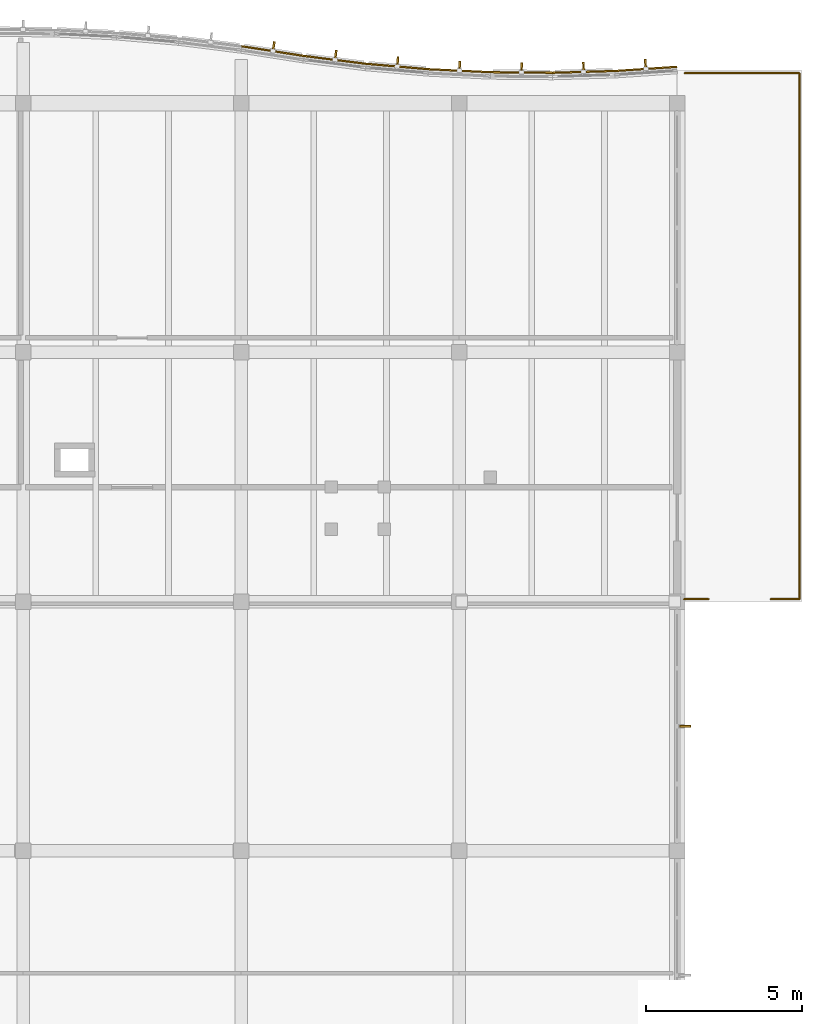
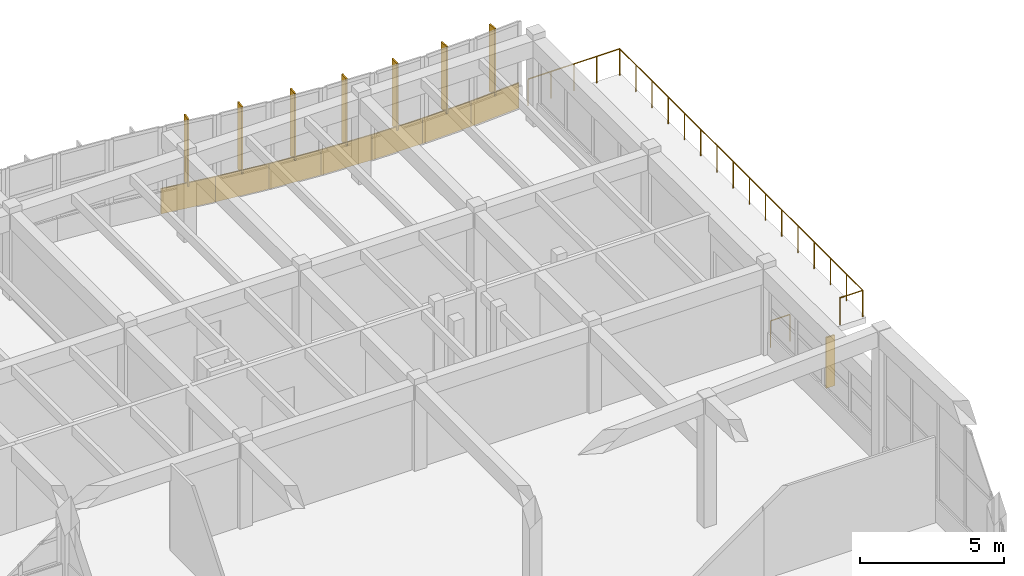
# One storey, part 89 of 89: 8 shading devices, 7 coverings, 2 railings.
"""IFC4 building model written with IfcOpenShell, lengths in metres."""

from ifc_helpers import new_model, si_unit, direction, frame, origin, origin_2d, place, context, subcontext, project, spatial, polyline, rectangle, circle, outline, extrude, material, layer, layer_set, type_object, element, save


model = new_model("IFC4")

# Units and contexts
model_context = context("Model", 3, precision=1e-05, world=origin(), true_north=direction((0.0, 1.0)))
body_context = subcontext(model_context, "Body", "Model", "MODEL_VIEW")
ifc_project = project(units=[si_unit("LENGTHUNIT", "METRE"), si_unit("AREAUNIT", "SQUARE_METRE"), si_unit("VOLUMEUNIT", "CUBIC_METRE"), si_unit("PLANEANGLEUNIT", "RADIAN"), si_unit("MASSUNIT", "GRAM", prefix="KILO")], contexts=[model_context])

# Site, building, storey
site_placement = place(None, origin())
site = spatial("IfcSite", under=ifc_project, at=site_placement, CompositionType="ELEMENT")
building_placement = place(site_placement, origin())
building = spatial("IfcBuilding", under=site, at=building_placement, Name="Tonlespit Floodbar School", CompositionType="ELEMENT")
storey_placement = place(building_placement, frame((0.0, 0.0, 4.5)))
storey = spatial("IfcBuildingStorey", under=building, at=storey_placement, Name="L01", CompositionType="ELEMENT", Elevation=4.5)

# Railing
ifc_material_1 = material(Name="Galvanised Steel", Category="steel")
railing_type_1 = type_object("IfcRailingType", Name="Balustrade_Ext_1150", PredefinedType="BALUSTRADE", material=ifc_material_1)
railing_1_placement = place(storey_placement, frame((176.247314453125, 120.9658203125, 0.0)))
element("IfcRailing", 1, at=railing_1_placement, inside=storey, type_object=railing_type_1, Name="L01 terrace balustrade 001", PredefinedType="BALUSTRADE", context=body_context, shape_type="SweptSolid", body=[
    extrude(circle(Radius=0.02392578125, at=origin_2d()), frame((0.0, 0.0, 1.1259765625), z_axis=(1.0, 0.0, 0.0), x_axis=(0.0, 1.0, 0.0)), (0.0, 0.0, 1.0), 3.672119140625),
    extrude(circle(Radius=0.02392578125, at=origin_2d()), frame((3.672119140625, 0.0, 1.1259765625), z_axis=(2.8917614e-05, -0.999999999582, 0.0), x_axis=(0.999999999582, 2.8917614e-05, 0.0)), (0.0, 0.0, 1.0), 16.88525390625),
    extrude(circle(Radius=0.02392578125, at=origin_2d()), frame((3.672607421875, -16.88525390625, 1.1259765625), z_axis=(-0.999999964783, -0.000265392772, 0.0), x_axis=(0.000265392772, -0.999999964783, 0.0)), (0.0, 0.0, 1.0), 0.919921875),
    extrude(circle(Radius=0.02099609375, at=origin_2d()), origin(), (0.0, 0.0, 1.0), 1.101806640625),
    extrude(circle(Radius=0.02099609375, at=origin_2d()), frame((0.91796875, 0.0, 0.0)), (0.0, 0.0, 1.0), 1.101806640625),
    extrude(circle(Radius=0.02099609375, at=origin_2d()), frame((1.8359375, 0.0, 0.0)), (0.0, 0.0, 1.0), 1.101806640625),
    extrude(circle(Radius=0.02099609375, at=origin_2d()), frame((2.754150390625, 0.0, 0.0)), (0.0, 0.0, 1.0), 1.101806640625),
    extrude(circle(Radius=0.02099609375, at=origin_2d()), frame((3.672119140625, 0.0, 0.0)), (0.0, 0.0, 1.0), 1.101806640625),
    extrude(circle(Radius=0.02099609375, at=origin_2d()), frame((3.672119140625, -1.125732421875, 0.0)), (0.0, 0.0, 1.0), 1.101806640625),
    extrude(circle(Radius=0.02099609375, at=origin_2d()), frame((3.672119140625, -2.25146484375, 0.0)), (0.0, 0.0, 1.0), 1.101806640625),
    extrude(circle(Radius=0.02099609375, at=origin_2d()), frame((3.672119140625, -3.376953125, 0.0)), (0.0, 0.0, 1.0), 1.101806640625),
    extrude(circle(Radius=0.02099609375, at=origin_2d()), frame((3.67236328125, -4.502685546875, 0.0)), (0.0, 0.0, 1.0), 1.101806640625),
    extrude(circle(Radius=0.02099609375, at=origin_2d()), frame((3.67236328125, -5.62841796875, 0.0)), (0.0, 0.0, 1.0), 1.101806640625),
    extrude(circle(Radius=0.02099609375, at=origin_2d()), frame((3.67236328125, -6.754150390625, 0.0)), (0.0, 0.0, 1.0), 1.101806640625),
    extrude(circle(Radius=0.02099609375, at=origin_2d()), frame((3.67236328125, -7.8798828125, 0.0)), (0.0, 0.0, 1.0), 1.101806640625),
    extrude(circle(Radius=0.02099609375, at=origin_2d()), frame((3.67236328125, -9.00537109375, 0.0)), (0.0, 0.0, 1.0), 1.101806640625),
    extrude(circle(Radius=0.02099609375, at=origin_2d()), frame((3.67236328125, -10.131103515625, 0.0)), (0.0, 0.0, 1.0), 1.101806640625),
    extrude(circle(Radius=0.02099609375, at=origin_2d()), frame((3.67236328125, -11.2568359375, 0.0)), (0.0, 0.0, 1.0), 1.101806640625),
    extrude(circle(Radius=0.02099609375, at=origin_2d()), frame((3.67236328125, -12.382568359375, 0.0)), (0.0, 0.0, 1.0), 1.101806640625),
    extrude(circle(Radius=0.02099609375, at=origin_2d()), frame((3.672607421875, -13.50830078125, 0.0)), (0.0, 0.0, 1.0), 1.101806640625),
    extrude(circle(Radius=0.02099609375, at=origin_2d()), frame((3.672607421875, -14.6337890625, 0.0)), (0.0, 0.0, 1.0), 1.101806640625),
    extrude(circle(Radius=0.02099609375, at=origin_2d()), frame((3.672607421875, -15.759521484375, 0.0)), (0.0, 0.0, 1.0), 1.101806640625),
    extrude(circle(Radius=0.02099609375, at=origin_2d()), frame((3.672607421875, -16.88525390625, 0.0)), (0.0, 0.0, 1.0), 1.101806640625),
    extrude(circle(Radius=0.02099609375, at=origin_2d()), frame((2.752685546875, -16.885498046875, 0.0)), (0.0, 0.0, 1.0), 1.101806640625),
])

# Coverings
ifc_material_2 = material(Name="White Architectural Aluminium", Category="aluminium")
ifc_layer_1 = layer(ifc_material_2, 0.050048828125)
ifc_layer_set_1 = layer_set([ifc_layer_1], Name="White Architectural Aluminium")
covering_type = type_object("IfcCoveringType", Name="Cladding_WhiteBand_50", PredefinedType="CLADDING", material=ifc_layer_set_1)
covering_1_placement = place(storey_placement, frame((0.0, 0.0, -0.1201171875)))
element("IfcCovering", 2, at=covering_1_placement, inside=storey, type_object=covering_type, Name="L01 curved white spandrel cladding 0650", PredefinedType="CLADDING", context=body_context, shape_type="SweptSolid", body=[
    extrude(outline(polyline([(162.015380859375, 121.804443359375), (164.015380859375, 121.4931640625), (164.023193359375, 121.54248046875), (162.023193359375, 121.85400390625), (162.015380859375, 121.804443359375)])), origin(), (0.0, 0.0, 1.0), 1.070068359375),
])
covering_2_placement = place(storey_placement, frame((0.0, 0.0, -0.1201171875)))
element("IfcCovering", 3, at=covering_2_placement, inside=storey, type_object=covering_type, Name="L01 curved white spandrel cladding 0651", PredefinedType="CLADDING", context=body_context, shape_type="SweptSolid", body=[
    extrude(outline(polyline([(164.012451171875, 121.493408203125), (166.012451171875, 121.241455078125), (166.018798828125, 121.291015625), (164.018798828125, 121.543212890625), (164.012451171875, 121.493408203125)])), origin(), (0.0, 0.0, 1.0), 1.070068359375),
])
covering_3_placement = place(storey_placement, frame((0.0, 0.0, -0.1201171875)))
element("IfcCovering", 4, at=covering_3_placement, inside=storey, type_object=covering_type, Name="L01 curved white spandrel cladding 0652", PredefinedType="CLADDING", context=body_context, shape_type="SweptSolid", body=[
    extrude(outline(polyline([(166.0087890625, 121.241943359375), (168.0087890625, 121.068115234375), (168.012939453125, 121.117919921875), (166.012939453125, 121.291748046875), (166.0087890625, 121.241943359375)])), origin(), (0.0, 0.0, 1.0), 1.070068359375),
])
covering_4_placement = place(storey_placement, frame((0.0, 0.0, -0.1201171875)))
element("IfcCovering", 5, at=covering_4_placement, inside=storey, type_object=covering_type, Name="L01 curved white spandrel cladding 0653", PredefinedType="CLADDING", context=body_context, shape_type="SweptSolid", body=[
    extrude(outline(polyline([(168.0048828125, 121.068359375), (170.0048828125, 120.97216796875), (170.007080078125, 121.02197265625), (168.007080078125, 121.118408203125), (168.0048828125, 121.068359375)])), origin(), (0.0, 0.0, 1.0), 1.070068359375),
])
covering_5_placement = place(storey_placement, frame((0.0, 0.0, -0.1201171875)))
element("IfcCovering", 6, at=covering_5_placement, inside=storey, type_object=covering_type, Name="L01 curved white spandrel cladding 0654", PredefinedType="CLADDING", context=body_context, shape_type="SweptSolid", body=[
    extrude(outline(polyline([(170.0009765625, 120.97216796875), (172.0009765625, 120.952880859375), (172.00146484375, 121.0029296875), (170.00146484375, 121.022216796875), (170.0009765625, 120.97216796875)])), origin(), (0.0, 0.0, 1.0), 1.070068359375),
])
covering_6_placement = place(storey_placement, frame((0.0, 0.0, -0.1201171875)))
element("IfcCovering", 7, at=covering_6_placement, inside=storey, type_object=covering_type, Name="L01 curved white spandrel cladding 0655", PredefinedType="CLADDING", context=body_context, shape_type="SweptSolid", body=[
    extrude(outline(polyline([(171.9970703125, 120.952880859375), (173.9970703125, 121.0107421875), (173.99560546875, 121.060791015625), (171.99560546875, 121.0029296875), (171.9970703125, 120.952880859375)])), origin(), (0.0, 0.0, 1.0), 1.070068359375),
])
covering_7_placement = place(storey_placement, frame((0.0, 0.0, -0.1201171875)))
element("IfcCovering", 8, at=covering_7_placement, inside=storey, type_object=covering_type, Name="L01 curved white spandrel cladding 0656", PredefinedType="CLADDING", context=body_context, shape_type="SweptSolid", body=[
    extrude(outline(polyline([(173.993408203125, 121.010498046875), (175.993408203125, 121.1455078125), (175.989990234375, 121.1953125), (173.989990234375, 121.060302734375), (173.993408203125, 121.010498046875)])), origin(), (0.0, 0.0, 1.0), 1.070068359375),
])

# Railing
ifc_material_3 = material(Name="Anodised Aluminium", Category="aluminium")
railing_type_2 = type_object("IfcRailingType", Name="Guardrail_Terrace_1150", PredefinedType="GUARDRAIL", material=ifc_material_3)
railing_2_placement = place(storey_placement, frame((177.0, 104.080078125, 0.0)))
element("IfcRailing", 9, at=railing_2_placement, inside=storey, type_object=railing_type_2, Name="L01 terrace balustrade 002", PredefinedType="GUARDRAIL", context=body_context, shape_type="SweptSolid", body=[
    extrude(circle(Radius=0.02392578125, at=origin_2d()), frame((0.0, 0.0, 1.1259765625), z_axis=(-1.0, 0.0, 0.0), x_axis=(0.0, -1.0, 0.0)), (0.0, 0.0, 1.0), 0.77783203125),
    extrude(circle(Radius=0.02099609375, at=origin_2d()), origin(), (0.0, 0.0, 1.0), 1.101806640625),
    extrude(circle(Radius=0.02099609375, at=origin_2d()), frame((-0.77783203125, 0.0, 0.0)), (0.0, 0.0, 1.0), 1.101806640625),
])

# Shading devices
ifc_material_4 = material(Name="Terracotta Anodised Aluminium", Category="masonry")
ifc_layer_2 = layer(ifc_material_4, 0.06005859375)
ifc_layer_set_2 = layer_set([ifc_layer_2], Name="Terracotta Anodised Aluminium")
shading_device_type = type_object("IfcShadingDeviceType", Name="Shading_SolarFin_350", PredefinedType="USERDEFINED", material=ifc_layer_set_2)
for number, where, z_axis, x_axis, name in (
    (10, (163.0400390625, 121.806884765625, 0.800048828125), (0.0, 0.0, 1.0), (0.988094768361, -0.153846445322, 0.0), "L01 vertical solar fin 253"),
    (11, (165.032470703125, 121.5263671875, 0.800048828125), (0.0, 0.0, 1.0), (0.99215533612, -0.125011155539, 0.0), "L01 vertical solar fin 254"),
    (12, (167.0224609375, 121.314453125, 0.800048828125), (0.0, 0.0, 1.0), (0.996245486492, -0.086573267488, 0.0), "L01 vertical solar fin 255"),
    (13, (169.012451171875, 121.179931640625, 0.800048828125), (0.0, 0.0, 1.0), (0.998842769234, -0.048094930587, 0.0), "L01 vertical solar fin 256"),
    (14, (171.00244140625, 121.12255859375, 0.800048828125), (0.0, 0.0, 1.0), (0.999953926969, -0.009599163462, 0.0), "L01 vertical solar fin 257"),
    (15, (172.992431640625, 121.1416015625, 0.800048828125), (0.0, 0.0, 1.0), (0.999584110869, 0.02883756748, 0.0), "L01 vertical solar fin 258"),
    (16, (174.982421875, 121.237548828125, 0.800048828125), (0.0, 0.0, 1.0), (0.997729639049, 0.067346621018, 0.0), "L01 vertical solar fin 259"),
):
    element("IfcShadingDevice", number, at=place(storey_placement, frame(where, z_axis=z_axis, x_axis=x_axis)), inside=storey, type_object=shading_device_type, Name=name, ObjectType="SOLAR FIN", PredefinedType="USERDEFINED", context=body_context, shape_type="SweptSolid", body=[
        extrude(rectangle(XDim=0.06005859375, YDim=0.35009765625, at=origin_2d()), origin(), (0.0, 0.0, 1.0), 2.85009765625),
    ])
shading_device_placement = place(storey_placement, frame((176.25244140625, 100.0, 0.800048828125), z_axis=(0.0, 0.0, 1.0), x_axis=(0.0, -1.0, 0.0)))
element("IfcShadingDevice", 17, at=shading_device_placement, inside=storey, type_object=shading_device_type, Name="L01 vertical solar fin 263", ObjectType="SOLAR FIN", PredefinedType="USERDEFINED", context=body_context, shape_type="SweptSolid", body=[
    extrude(rectangle(XDim=0.06005859375, YDim=0.35009765625, at=origin_2d()), origin(), (0.0, 0.0, 1.0), 2.14990234375),
])

save(model, "model.ifc")
